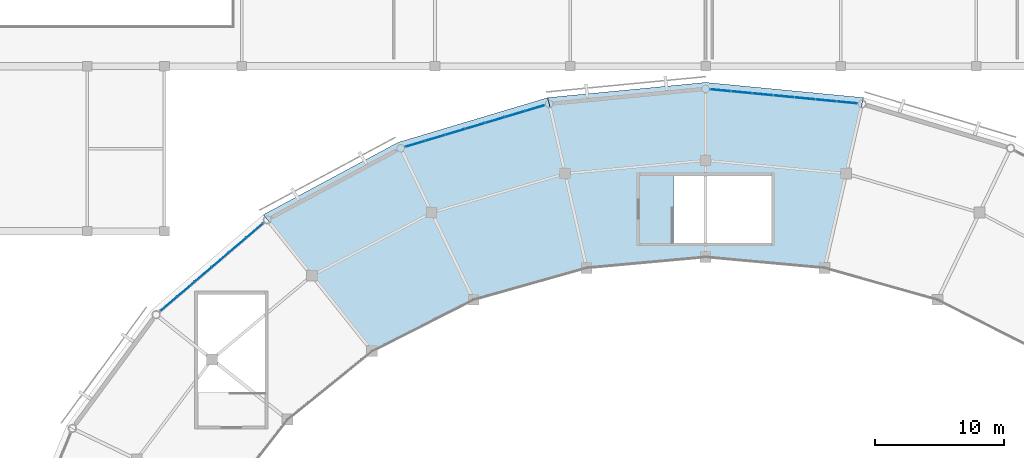
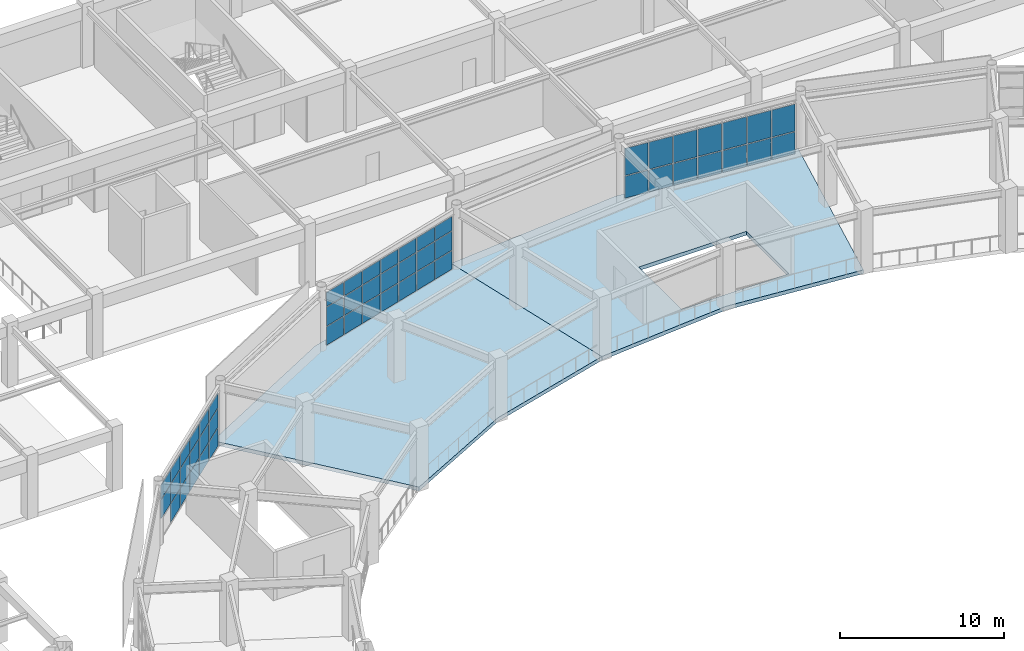
# One storey, part 71 of 112: 52 plates, 2 slabs, 3 elements without a shape of their own.
"""IFC4 building model written with IfcOpenShell, lengths in metres."""

from ifc_helpers import new_model, si_unit, direction, frame, origin, origin_2d, place, context, subcontext, project, spatial, polyline, rectangle, outline, extrude, material, layer, layer_set, type_object, element, aggregate, save


model = new_model("IFC4")

# Units and contexts
model_context = context("Model", 3, precision=1e-05, world=origin(), true_north=direction((0.0, 1.0)))
body_context = subcontext(model_context, "Body", "Model", "MODEL_VIEW")
ifc_project = project(units=[si_unit("LENGTHUNIT", "METRE"), si_unit("AREAUNIT", "SQUARE_METRE"), si_unit("VOLUMEUNIT", "CUBIC_METRE"), si_unit("PLANEANGLEUNIT", "RADIAN"), si_unit("MASSUNIT", "GRAM", prefix="KILO")], contexts=[model_context])

# Site, building, storey
site_placement = place(None, origin())
site = spatial("IfcSite", under=ifc_project, at=site_placement, CompositionType="ELEMENT")
building_placement = place(site_placement, origin())
building = spatial("IfcBuilding", under=site, at=building_placement, Name="Cuetzalor Civic Arena", CompositionType="ELEMENT")
storey_placement = place(building_placement, frame((0.0, 0.0, 11.39990234375)))
storey = spatial("IfcBuildingStorey", under=building, at=storey_placement, Name="L02", CompositionType="ELEMENT", Elevation=11.39990234375)

# Curtain wall, plates
ifc_material_1 = material(Name="Anodised dark bronze aluminium and low-E solar glass", Category="aluminium")
curtain_wall_type_1 = type_object("IfcCurtainWallType", Name="UnitisedCW_11550x3850", PredefinedType="USERDEFINED", material=ifc_material_1)
curtain_wall_1_placement = place(storey_placement, origin())
curtain_wall_1 = element("IfcCurtainWall", 1, at=curtain_wall_1_placement, inside=storey, type_object=curtain_wall_type_1, Name="Drum Triangle Foyer Curtain Wall L02-035", ObjectType="UNITISED CURTAIN WALL", PredefinedType="USERDEFINED")
ifc_material_2 = material(Name="Acoustic laminated solar control glass", Category="glass")
ifc_layer_1 = layer(ifc_material_2, 0.0439453125)
ifc_layer_set_1 = layer_set([ifc_layer_1], Name="Acoustic laminated solar control glass")
plate_type = type_object("IfcPlateType", Name="AcousticTripleGlazedPanel_44", PredefinedType="CURTAIN_PANEL", material=ifc_layer_set_1)
plate_1_placement = place(storey_placement, frame((1.15185546875, 46.439208984375, 0.065185546875), z_axis=(0.0, 0.0, 1.0), x_axis=(0.995409139996, -0.095711253324, 0.0)))
plate_1 = element("IfcPlate", 2, at=plate_1_placement, type_object=plate_type, Name="CW-14 panel 1.1", PredefinedType="CURTAIN_PANEL", context=body_context, shape_type="SweptSolid", body=[
    extrude(rectangle(XDim=1.5546875, YDim=0.0439453125, at=origin_2d()), origin(), (0.0, 0.0, 1.0), 1.62646484375),
])
plate_2_placement = place(storey_placement, frame((1.15185546875, 46.439208984375, 1.7568359375), z_axis=(0.0, 0.0, 1.0), x_axis=(0.995409139996, -0.095711253324, 0.0)))
plate_2 = element("IfcPlate", 3, at=plate_2_placement, type_object=plate_type, Name="CW-14 panel 1.2", PredefinedType="CURTAIN_PANEL", context=body_context, shape_type="SweptSolid", body=[
    extrude(rectangle(XDim=1.5546875, YDim=0.0439453125, at=origin_2d()), origin(), (0.0, 0.0, 1.0), 2.010498046875),
])
plate_3_placement = place(storey_placement, frame((2.780029296875, 46.28271484375, 0.065185546875), z_axis=(0.0, 0.0, 1.0), x_axis=(0.995409139996, -0.095711253324, 0.0)))
plate_3 = element("IfcPlate", 4, at=plate_3_placement, type_object=plate_type, Name="CW-14 panel 2.1", PredefinedType="CURTAIN_PANEL", context=body_context, shape_type="SweptSolid", body=[
    extrude(rectangle(XDim=1.587158203125, YDim=0.0439453125, at=origin_2d()), origin(), (0.0, 0.0, 1.0), 1.62646484375),
])
plate_4_placement = place(storey_placement, frame((2.780029296875, 46.28271484375, 1.7568359375), z_axis=(0.0, 0.0, 1.0), x_axis=(0.995409139996, -0.095711253324, 0.0)))
plate_4 = element("IfcPlate", 5, at=plate_4_placement, type_object=plate_type, Name="CW-14 panel 2.2", PredefinedType="CURTAIN_PANEL", context=body_context, shape_type="SweptSolid", body=[
    extrude(rectangle(XDim=1.587158203125, YDim=0.0439453125, at=origin_2d()), origin(), (0.0, 0.0, 1.0), 2.010498046875),
])
plate_5_placement = place(storey_placement, frame((4.4248046875, 46.12451171875, 0.065185546875), z_axis=(0.0, 0.0, 1.0), x_axis=(0.995409139996, -0.095711253324, 0.0)))
plate_5 = element("IfcPlate", 6, at=plate_5_placement, type_object=plate_type, Name="CW-14 panel 3.1", PredefinedType="CURTAIN_PANEL", context=body_context, shape_type="SweptSolid", body=[
    extrude(rectangle(XDim=1.587158203125, YDim=0.0439453125, at=origin_2d()), origin(), (0.0, 0.0, 1.0), 1.62646484375),
])
plate_6_placement = place(storey_placement, frame((4.4248046875, 46.12451171875, 1.7568359375), z_axis=(0.0, 0.0, 1.0), x_axis=(0.995409139996, -0.095711253324, 0.0)))
plate_6 = element("IfcPlate", 7, at=plate_6_placement, type_object=plate_type, Name="CW-14 panel 3.2", PredefinedType="CURTAIN_PANEL", context=body_context, shape_type="SweptSolid", body=[
    extrude(rectangle(XDim=1.587158203125, YDim=0.0439453125, at=origin_2d()), origin(), (0.0, 0.0, 1.0), 2.010498046875),
])
plate_7_placement = place(storey_placement, frame((6.0693359375, 45.966552734375, 0.065185546875), z_axis=(0.0, 0.0, 1.0), x_axis=(0.995409139996, -0.095711253324, 0.0)))
plate_7 = element("IfcPlate", 8, at=plate_7_placement, type_object=plate_type, Name="CW-14 panel 4.1", PredefinedType="CURTAIN_PANEL", context=body_context, shape_type="SweptSolid", body=[
    extrude(rectangle(XDim=1.587158203125, YDim=0.0439453125, at=origin_2d()), origin(), (0.0, 0.0, 1.0), 1.62646484375),
])
plate_8_placement = place(storey_placement, frame((6.0693359375, 45.966552734375, 1.7568359375), z_axis=(0.0, 0.0, 1.0), x_axis=(0.995409139996, -0.095711253324, 0.0)))
plate_8 = element("IfcPlate", 9, at=plate_8_placement, type_object=plate_type, Name="CW-14 panel 4.2", PredefinedType="CURTAIN_PANEL", context=body_context, shape_type="SweptSolid", body=[
    extrude(rectangle(XDim=1.587158203125, YDim=0.0439453125, at=origin_2d()), origin(), (0.0, 0.0, 1.0), 2.010498046875),
])
plate_9_placement = place(storey_placement, frame((7.7138671875, 45.808349609375, 0.065185546875), z_axis=(0.0, 0.0, 1.0), x_axis=(0.995409139996, -0.095711253324, 0.0)))
plate_9 = element("IfcPlate", 10, at=plate_9_placement, type_object=plate_type, Name="CW-14 panel 5.1", PredefinedType="CURTAIN_PANEL", context=body_context, shape_type="SweptSolid", body=[
    extrude(rectangle(XDim=1.587158203125, YDim=0.0439453125, at=origin_2d()), origin(), (0.0, 0.0, 1.0), 1.62646484375),
])
plate_10_placement = place(storey_placement, frame((7.7138671875, 45.808349609375, 1.7568359375), z_axis=(0.0, 0.0, 1.0), x_axis=(0.995409139996, -0.095711253324, 0.0)))
plate_10 = element("IfcPlate", 11, at=plate_10_placement, type_object=plate_type, Name="CW-14 panel 5.2", PredefinedType="CURTAIN_PANEL", context=body_context, shape_type="SweptSolid", body=[
    extrude(rectangle(XDim=1.587158203125, YDim=0.0439453125, at=origin_2d()), origin(), (0.0, 0.0, 1.0), 2.010498046875),
])
plate_11_placement = place(storey_placement, frame((9.3583984375, 45.650146484375, 0.065185546875), z_axis=(0.0, 0.0, 1.0), x_axis=(0.995409139996, -0.095711253324, 0.0)))
plate_11 = element("IfcPlate", 12, at=plate_11_placement, type_object=plate_type, Name="CW-14 panel 6.1", PredefinedType="CURTAIN_PANEL", context=body_context, shape_type="SweptSolid", body=[
    extrude(rectangle(XDim=1.587158203125, YDim=0.0439453125, at=origin_2d()), origin(), (0.0, 0.0, 1.0), 1.62646484375),
])
plate_12_placement = place(storey_placement, frame((9.3583984375, 45.650146484375, 1.7568359375), z_axis=(0.0, 0.0, 1.0), x_axis=(0.995409139996, -0.095711253324, 0.0)))
plate_12 = element("IfcPlate", 13, at=plate_12_placement, type_object=plate_type, Name="CW-14 panel 6.2", PredefinedType="CURTAIN_PANEL", context=body_context, shape_type="SweptSolid", body=[
    extrude(rectangle(XDim=1.587158203125, YDim=0.0439453125, at=origin_2d()), origin(), (0.0, 0.0, 1.0), 2.010498046875),
])
plate_13_placement = place(storey_placement, frame((10.98681640625, 45.49365234375, 0.065185546875), z_axis=(0.0, 0.0, 1.0), x_axis=(0.995409139996, -0.095711253324, 0.0)))
plate_13 = element("IfcPlate", 14, at=plate_13_placement, type_object=plate_type, Name="CW-14 panel 7.1", PredefinedType="CURTAIN_PANEL", context=body_context, shape_type="SweptSolid", body=[
    extrude(rectangle(XDim=1.5546875, YDim=0.0439453125, at=origin_2d()), origin(), (0.0, 0.0, 1.0), 1.62646484375),
])
plate_14_placement = place(storey_placement, frame((10.98681640625, 45.49365234375, 1.7568359375), z_axis=(0.0, 0.0, 1.0), x_axis=(0.995409139996, -0.095711253324, 0.0)))
plate_14 = element("IfcPlate", 15, at=plate_14_placement, type_object=plate_type, Name="CW-14 panel 7.2", PredefinedType="CURTAIN_PANEL", context=body_context, shape_type="SweptSolid", body=[
    extrude(rectangle(XDim=1.5546875, YDim=0.0439453125, at=origin_2d()), origin(), (0.0, 0.0, 1.0), 2.010498046875),
])
aggregate(curtain_wall_1, [plate_1, plate_2, plate_3, plate_4, plate_5, plate_6, plate_7, plate_8, plate_9, plate_10, plate_11, plate_12, plate_13, plate_14])

ifc_material_3 = material(Name="Anodised dark bronze aluminium and low-E solar glass", Category="aluminium")
curtain_wall_type_2 = type_object("IfcCurtainWallType", Name="UnitisedCW_11300x4050", PredefinedType="USERDEFINED", material=ifc_material_3)
curtain_wall_2_placement = place(storey_placement, origin())
curtain_wall_2 = element("IfcCurtainWall", 16, at=curtain_wall_2_placement, inside=storey, type_object=curtain_wall_type_2, Name="Drum Triangle Foyer Curtain Wall L02-036", ObjectType="UNITISED CURTAIN WALL", PredefinedType="USERDEFINED")
plate_15_placement = place(storey_placement, frame((-22.532470703125, 42.279296875, 0.06494140625), z_axis=(0.0, 0.0, 1.0), x_axis=(0.958193690548, 0.286120344251, 0.0)))
plate_15 = element("IfcPlate", 17, at=plate_15_placement, type_object=plate_type, Name="CW-15 panel 1.1", PredefinedType="CURTAIN_PANEL", context=body_context, shape_type="SweptSolid", body=[
    extrude(rectangle(XDim=1.518310546875, YDim=0.0439453125, at=origin_2d()), origin(), (0.0, 0.0, 1.0), 1.361572265625),
])
plate_16_placement = place(storey_placement, frame((-22.532470703125, 42.279296875, 1.491455078125), z_axis=(0.0, 0.0, 1.0), x_axis=(0.958193690548, 0.286120344251, 0.0)))
plate_16 = element("IfcPlate", 18, at=plate_16_placement, type_object=plate_type, Name="CW-15 panel 1.2", PredefinedType="CURTAIN_PANEL", context=body_context, shape_type="SweptSolid", body=[
    extrude(rectangle(XDim=1.518310546875, YDim=0.0439453125, at=origin_2d()), origin(), (0.0, 0.0, 1.0), 1.39404296875),
])
plate_17_placement = place(storey_placement, frame((-22.532470703125, 42.279296875, 2.950439453125), z_axis=(0.0, 0.0, 1.0), x_axis=(0.958193690548, 0.286120344251, 0.0)))
plate_17 = element("IfcPlate", 19, at=plate_17_placement, type_object=plate_type, Name="CW-15 panel 1.3", PredefinedType="CURTAIN_PANEL", context=body_context, shape_type="SweptSolid", body=[
    extrude(rectangle(XDim=1.518310546875, YDim=0.0439453125, at=origin_2d()), origin(), (0.0, 0.0, 1.0), 1.03759765625),
])
plate_18_placement = place(storey_placement, frame((-20.999755859375, 42.73681640625, 0.06494140625), z_axis=(0.0, 0.0, 1.0), x_axis=(0.958193690548, 0.286120344251, 0.0)))
plate_18 = element("IfcPlate", 20, at=plate_18_placement, type_object=plate_type, Name="CW-15 panel 2.1", PredefinedType="CURTAIN_PANEL", context=body_context, shape_type="SweptSolid", body=[
    extrude(rectangle(XDim=1.55078125, YDim=0.0439453125, at=origin_2d()), origin(), (0.0, 0.0, 1.0), 1.361572265625),
])
plate_19_placement = place(storey_placement, frame((-20.999755859375, 42.73681640625, 1.491455078125), z_axis=(0.0, 0.0, 1.0), x_axis=(0.958193690548, 0.286120344251, 0.0)))
plate_19 = element("IfcPlate", 21, at=plate_19_placement, type_object=plate_type, Name="CW-15 panel 2.2", PredefinedType="CURTAIN_PANEL", context=body_context, shape_type="SweptSolid", body=[
    extrude(rectangle(XDim=1.55078125, YDim=0.0439453125, at=origin_2d()), origin(), (0.0, 0.0, 1.0), 1.39404296875),
])
plate_20_placement = place(storey_placement, frame((-20.999755859375, 42.73681640625, 2.950439453125), z_axis=(0.0, 0.0, 1.0), x_axis=(0.958193690548, 0.286120344251, 0.0)))
plate_20 = element("IfcPlate", 22, at=plate_20_placement, type_object=plate_type, Name="CW-15 panel 2.3", PredefinedType="CURTAIN_PANEL", context=body_context, shape_type="SweptSolid", body=[
    extrude(rectangle(XDim=1.55078125, YDim=0.0439453125, at=origin_2d()), origin(), (0.0, 0.0, 1.0), 1.03759765625),
])
plate_21_placement = place(storey_placement, frame((-19.45166015625, 43.19921875, 0.06494140625), z_axis=(0.0, 0.0, 1.0), x_axis=(0.958193690548, 0.286120344251, 0.0)))
plate_21 = element("IfcPlate", 23, at=plate_21_placement, type_object=plate_type, Name="CW-15 panel 3.1", PredefinedType="CURTAIN_PANEL", context=body_context, shape_type="SweptSolid", body=[
    extrude(rectangle(XDim=1.55078125, YDim=0.0439453125, at=origin_2d()), origin(), (0.0, 0.0, 1.0), 1.361572265625),
])
plate_22_placement = place(storey_placement, frame((-19.45166015625, 43.19921875, 1.491455078125), z_axis=(0.0, 0.0, 1.0), x_axis=(0.958193690548, 0.286120344251, 0.0)))
plate_22 = element("IfcPlate", 24, at=plate_22_placement, type_object=plate_type, Name="CW-15 panel 3.2", PredefinedType="CURTAIN_PANEL", context=body_context, shape_type="SweptSolid", body=[
    extrude(rectangle(XDim=1.55078125, YDim=0.0439453125, at=origin_2d()), origin(), (0.0, 0.0, 1.0), 1.39404296875),
])
plate_23_placement = place(storey_placement, frame((-19.45166015625, 43.19921875, 2.950439453125), z_axis=(0.0, 0.0, 1.0), x_axis=(0.958193690548, 0.286120344251, 0.0)))
plate_23 = element("IfcPlate", 25, at=plate_23_placement, type_object=plate_type, Name="CW-15 panel 3.3", PredefinedType="CURTAIN_PANEL", context=body_context, shape_type="SweptSolid", body=[
    extrude(rectangle(XDim=1.55078125, YDim=0.0439453125, at=origin_2d()), origin(), (0.0, 0.0, 1.0), 1.03759765625),
])
plate_24_placement = place(storey_placement, frame((-17.903564453125, 43.66162109375, 0.06494140625), z_axis=(0.0, 0.0, 1.0), x_axis=(0.958193690548, 0.286120344251, 0.0)))
plate_24 = element("IfcPlate", 26, at=plate_24_placement, type_object=plate_type, Name="CW-15 panel 4.1", PredefinedType="CURTAIN_PANEL", context=body_context, shape_type="SweptSolid", body=[
    extrude(rectangle(XDim=1.55078125, YDim=0.0439453125, at=origin_2d()), origin(), (0.0, 0.0, 1.0), 1.361572265625),
])
plate_25_placement = place(storey_placement, frame((-17.903564453125, 43.66162109375, 1.491455078125), z_axis=(0.0, 0.0, 1.0), x_axis=(0.958193690548, 0.286120344251, 0.0)))
plate_25 = element("IfcPlate", 27, at=plate_25_placement, type_object=plate_type, Name="CW-15 panel 4.2", PredefinedType="CURTAIN_PANEL", context=body_context, shape_type="SweptSolid", body=[
    extrude(rectangle(XDim=1.55078125, YDim=0.0439453125, at=origin_2d()), origin(), (0.0, 0.0, 1.0), 1.39404296875),
])
plate_26_placement = place(storey_placement, frame((-17.903564453125, 43.66162109375, 2.950439453125), z_axis=(0.0, 0.0, 1.0), x_axis=(0.958193690548, 0.286120344251, 0.0)))
plate_26 = element("IfcPlate", 28, at=plate_26_placement, type_object=plate_type, Name="CW-15 panel 4.3", PredefinedType="CURTAIN_PANEL", context=body_context, shape_type="SweptSolid", body=[
    extrude(rectangle(XDim=1.55078125, YDim=0.0439453125, at=origin_2d()), origin(), (0.0, 0.0, 1.0), 1.03759765625),
])
plate_27_placement = place(storey_placement, frame((-16.355224609375, 44.123779296875, 0.06494140625), z_axis=(0.0, 0.0, 1.0), x_axis=(0.958193690548, 0.286120344251, 0.0)))
plate_27 = element("IfcPlate", 29, at=plate_27_placement, type_object=plate_type, Name="CW-15 panel 5.1", PredefinedType="CURTAIN_PANEL", context=body_context, shape_type="SweptSolid", body=[
    extrude(rectangle(XDim=1.55078125, YDim=0.0439453125, at=origin_2d()), origin(), (0.0, 0.0, 1.0), 1.361572265625),
])
plate_28_placement = place(storey_placement, frame((-16.355224609375, 44.123779296875, 1.491455078125), z_axis=(0.0, 0.0, 1.0), x_axis=(0.958193690548, 0.286120344251, 0.0)))
plate_28 = element("IfcPlate", 30, at=plate_28_placement, type_object=plate_type, Name="CW-15 panel 5.2", PredefinedType="CURTAIN_PANEL", context=body_context, shape_type="SweptSolid", body=[
    extrude(rectangle(XDim=1.55078125, YDim=0.0439453125, at=origin_2d()), origin(), (0.0, 0.0, 1.0), 1.39404296875),
])
plate_29_placement = place(storey_placement, frame((-16.355224609375, 44.123779296875, 2.950439453125), z_axis=(0.0, 0.0, 1.0), x_axis=(0.958193690548, 0.286120344251, 0.0)))
plate_29 = element("IfcPlate", 31, at=plate_29_placement, type_object=plate_type, Name="CW-15 panel 5.3", PredefinedType="CURTAIN_PANEL", context=body_context, shape_type="SweptSolid", body=[
    extrude(rectangle(XDim=1.55078125, YDim=0.0439453125, at=origin_2d()), origin(), (0.0, 0.0, 1.0), 1.03759765625),
])
plate_30_placement = place(storey_placement, frame((-14.80712890625, 44.586181640625, 0.06494140625), z_axis=(0.0, 0.0, 1.0), x_axis=(0.958193690548, 0.286120344251, 0.0)))
plate_30 = element("IfcPlate", 32, at=plate_30_placement, type_object=plate_type, Name="CW-15 panel 6.1", PredefinedType="CURTAIN_PANEL", context=body_context, shape_type="SweptSolid", body=[
    extrude(rectangle(XDim=1.55078125, YDim=0.0439453125, at=origin_2d()), origin(), (0.0, 0.0, 1.0), 1.361572265625),
])
plate_31_placement = place(storey_placement, frame((-14.80712890625, 44.586181640625, 1.491455078125), z_axis=(0.0, 0.0, 1.0), x_axis=(0.958193690548, 0.286120344251, 0.0)))
plate_31 = element("IfcPlate", 33, at=plate_31_placement, type_object=plate_type, Name="CW-15 panel 6.2", PredefinedType="CURTAIN_PANEL", context=body_context, shape_type="SweptSolid", body=[
    extrude(rectangle(XDim=1.55078125, YDim=0.0439453125, at=origin_2d()), origin(), (0.0, 0.0, 1.0), 1.39404296875),
])
plate_32_placement = place(storey_placement, frame((-14.80712890625, 44.586181640625, 2.950439453125), z_axis=(0.0, 0.0, 1.0), x_axis=(0.958193690548, 0.286120344251, 0.0)))
plate_32 = element("IfcPlate", 34, at=plate_32_placement, type_object=plate_type, Name="CW-15 panel 6.3", PredefinedType="CURTAIN_PANEL", context=body_context, shape_type="SweptSolid", body=[
    extrude(rectangle(XDim=1.55078125, YDim=0.0439453125, at=origin_2d()), origin(), (0.0, 0.0, 1.0), 1.03759765625),
])
plate_33_placement = place(storey_placement, frame((-13.274658203125, 45.043701171875, 0.06494140625), z_axis=(0.0, 0.0, 1.0), x_axis=(0.958193690548, 0.286120344251, 0.0)))
plate_33 = element("IfcPlate", 35, at=plate_33_placement, type_object=plate_type, Name="CW-15 panel 7.1", PredefinedType="CURTAIN_PANEL", context=body_context, shape_type="SweptSolid", body=[
    extrude(rectangle(XDim=1.518310546875, YDim=0.0439453125, at=origin_2d()), origin(), (0.0, 0.0, 1.0), 1.361572265625),
])
plate_34_placement = place(storey_placement, frame((-13.274658203125, 45.043701171875, 1.491455078125), z_axis=(0.0, 0.0, 1.0), x_axis=(0.958193690548, 0.286120344251, 0.0)))
plate_34 = element("IfcPlate", 36, at=plate_34_placement, type_object=plate_type, Name="CW-15 panel 7.2", PredefinedType="CURTAIN_PANEL", context=body_context, shape_type="SweptSolid", body=[
    extrude(rectangle(XDim=1.518310546875, YDim=0.0439453125, at=origin_2d()), origin(), (0.0, 0.0, 1.0), 1.39404296875),
])
plate_35_placement = place(storey_placement, frame((-13.274658203125, 45.043701171875, 2.950439453125), z_axis=(0.0, 0.0, 1.0), x_axis=(0.958193690548, 0.286120344251, 0.0)))
plate_35 = element("IfcPlate", 37, at=plate_35_placement, type_object=plate_type, Name="CW-15 panel 7.3", PredefinedType="CURTAIN_PANEL", context=body_context, shape_type="SweptSolid", body=[
    extrude(rectangle(XDim=1.518310546875, YDim=0.0439453125, at=origin_2d()), origin(), (0.0, 0.0, 1.0), 1.03759765625),
])
aggregate(curtain_wall_2, [plate_15, plate_16, plate_17, plate_18, plate_19, plate_20, plate_21, plate_22, plate_23, plate_24, plate_25, plate_26, plate_27, plate_28, plate_29, plate_30, plate_31, plate_32, plate_33, plate_34, plate_35])

ifc_material_4 = material(Name="Anodised dark bronze aluminium and low-E solar glass", Category="aluminium")
curtain_wall_type_3 = type_object("IfcCurtainWallType", Name="UnitisedCW_10550x4050", PredefinedType="USERDEFINED", material=ifc_material_4)
curtain_wall_3_placement = place(storey_placement, origin())
curtain_wall_3 = element("IfcCurtainWall", 38, at=curtain_wall_3_placement, inside=storey, type_object=curtain_wall_type_3, Name="Drum Triangle Foyer Curtain Wall L02-037", ObjectType="UNITISED CURTAIN WALL", PredefinedType="USERDEFINED")
plate_36_placement = place(storey_placement, frame((-41.655517578125, 29.87109375, 1.491455078125), z_axis=(0.0, 0.0, 1.0), x_axis=(0.760677142663, 0.64913040649, 0.0)))
plate_36 = element("IfcPlate", 39, at=plate_36_placement, type_object=plate_type, Name="CW-16 panel 1.2", PredefinedType="CURTAIN_PANEL", context=body_context, shape_type="SweptSolid", body=[
    extrude(rectangle(XDim=1.65771484375, YDim=0.0439453125, at=origin_2d()), origin(), (0.0, 0.0, 1.0), 1.39404296875),
])
plate_37_placement = place(storey_placement, frame((-41.655517578125, 29.87109375, 2.950439453125), z_axis=(0.0, 0.0, 1.0), x_axis=(0.760677142663, 0.64913040649, 0.0)))
plate_37 = element("IfcPlate", 40, at=plate_37_placement, type_object=plate_type, Name="CW-16 panel 1.3", PredefinedType="CURTAIN_PANEL", context=body_context, shape_type="SweptSolid", body=[
    extrude(rectangle(XDim=1.65771484375, YDim=0.0439453125, at=origin_2d()), origin(), (0.0, 0.0, 1.0), 1.03759765625),
])
plate_38_placement = place(storey_placement, frame((-40.332763671875, 31.0, 0.06494140625), z_axis=(0.0, 0.0, 1.0), x_axis=(0.760677142663, 0.64913040649, 0.0)))
plate_38 = element("IfcPlate", 41, at=plate_38_placement, type_object=plate_type, Name="CW-16 panel 2.1", PredefinedType="CURTAIN_PANEL", context=body_context, shape_type="SweptSolid", body=[
    extrude(rectangle(XDim=1.690185546875, YDim=0.0439453125, at=origin_2d()), origin(), (0.0, 0.0, 1.0), 1.361572265625),
])
plate_39_placement = place(storey_placement, frame((-40.332763671875, 31.0, 1.491455078125), z_axis=(0.0, 0.0, 1.0), x_axis=(0.760677142663, 0.64913040649, 0.0)))
plate_39 = element("IfcPlate", 42, at=plate_39_placement, type_object=plate_type, Name="CW-16 panel 2.2", PredefinedType="CURTAIN_PANEL", context=body_context, shape_type="SweptSolid", body=[
    extrude(rectangle(XDim=1.690185546875, YDim=0.0439453125, at=origin_2d()), origin(), (0.0, 0.0, 1.0), 1.39404296875),
])
plate_40_placement = place(storey_placement, frame((-40.332763671875, 31.0, 2.950439453125), z_axis=(0.0, 0.0, 1.0), x_axis=(0.760677142663, 0.64913040649, 0.0)))
plate_40 = element("IfcPlate", 43, at=plate_40_placement, type_object=plate_type, Name="CW-16 panel 2.3", PredefinedType="CURTAIN_PANEL", context=body_context, shape_type="SweptSolid", body=[
    extrude(rectangle(XDim=1.690185546875, YDim=0.0439453125, at=origin_2d()), origin(), (0.0, 0.0, 1.0), 1.03759765625),
])
plate_41_placement = place(storey_placement, frame((-38.997802734375, 32.13916015625, 0.06494140625), z_axis=(0.0, 0.0, 1.0), x_axis=(0.760677142663, 0.64913040649, 0.0)))
plate_41 = element("IfcPlate", 44, at=plate_41_placement, type_object=plate_type, Name="CW-16 panel 3.1", PredefinedType="CURTAIN_PANEL", context=body_context, shape_type="SweptSolid", body=[
    extrude(rectangle(XDim=1.690185546875, YDim=0.0439453125, at=origin_2d()), origin(), (0.0, 0.0, 1.0), 1.361572265625),
])
plate_42_placement = place(storey_placement, frame((-38.997802734375, 32.13916015625, 1.491455078125), z_axis=(0.0, 0.0, 1.0), x_axis=(0.760677142663, 0.64913040649, 0.0)))
plate_42 = element("IfcPlate", 45, at=plate_42_placement, type_object=plate_type, Name="CW-16 panel 3.2", PredefinedType="CURTAIN_PANEL", context=body_context, shape_type="SweptSolid", body=[
    extrude(rectangle(XDim=1.690185546875, YDim=0.0439453125, at=origin_2d()), origin(), (0.0, 0.0, 1.0), 1.39404296875),
])
plate_43_placement = place(storey_placement, frame((-38.997802734375, 32.13916015625, 2.950439453125), z_axis=(0.0, 0.0, 1.0), x_axis=(0.760677142663, 0.64913040649, 0.0)))
plate_43 = element("IfcPlate", 46, at=plate_43_placement, type_object=plate_type, Name="CW-16 panel 3.3", PredefinedType="CURTAIN_PANEL", context=body_context, shape_type="SweptSolid", body=[
    extrude(rectangle(XDim=1.690185546875, YDim=0.0439453125, at=origin_2d()), origin(), (0.0, 0.0, 1.0), 1.03759765625),
])
plate_44_placement = place(storey_placement, frame((-37.66259765625, 33.278564453125, 0.06494140625), z_axis=(0.0, 0.0, 1.0), x_axis=(0.760677142663, 0.64913040649, 0.0)))
plate_44 = element("IfcPlate", 47, at=plate_44_placement, type_object=plate_type, Name="CW-16 panel 4.1", PredefinedType="CURTAIN_PANEL", context=body_context, shape_type="SweptSolid", body=[
    extrude(rectangle(XDim=1.690185546875, YDim=0.0439453125, at=origin_2d()), origin(), (0.0, 0.0, 1.0), 1.361572265625),
])
plate_45_placement = place(storey_placement, frame((-37.66259765625, 33.278564453125, 1.491455078125), z_axis=(0.0, 0.0, 1.0), x_axis=(0.760677142663, 0.64913040649, 0.0)))
plate_45 = element("IfcPlate", 48, at=plate_45_placement, type_object=plate_type, Name="CW-16 panel 4.2", PredefinedType="CURTAIN_PANEL", context=body_context, shape_type="SweptSolid", body=[
    extrude(rectangle(XDim=1.690185546875, YDim=0.0439453125, at=origin_2d()), origin(), (0.0, 0.0, 1.0), 1.39404296875),
])
plate_46_placement = place(storey_placement, frame((-37.66259765625, 33.278564453125, 2.950439453125), z_axis=(0.0, 0.0, 1.0), x_axis=(0.760677142663, 0.64913040649, 0.0)))
plate_46 = element("IfcPlate", 49, at=plate_46_placement, type_object=plate_type, Name="CW-16 panel 4.3", PredefinedType="CURTAIN_PANEL", context=body_context, shape_type="SweptSolid", body=[
    extrude(rectangle(XDim=1.690185546875, YDim=0.0439453125, at=origin_2d()), origin(), (0.0, 0.0, 1.0), 1.03759765625),
])
plate_47_placement = place(storey_placement, frame((-36.327392578125, 34.41796875, 0.06494140625), z_axis=(0.0, 0.0, 1.0), x_axis=(0.760677142663, 0.64913040649, 0.0)))
plate_47 = element("IfcPlate", 50, at=plate_47_placement, type_object=plate_type, Name="CW-16 panel 5.1", PredefinedType="CURTAIN_PANEL", context=body_context, shape_type="SweptSolid", body=[
    extrude(rectangle(XDim=1.690185546875, YDim=0.0439453125, at=origin_2d()), origin(), (0.0, 0.0, 1.0), 1.361572265625),
])
plate_48_placement = place(storey_placement, frame((-36.327392578125, 34.41796875, 1.491455078125), z_axis=(0.0, 0.0, 1.0), x_axis=(0.760677142663, 0.64913040649, 0.0)))
plate_48 = element("IfcPlate", 51, at=plate_48_placement, type_object=plate_type, Name="CW-16 panel 5.2", PredefinedType="CURTAIN_PANEL", context=body_context, shape_type="SweptSolid", body=[
    extrude(rectangle(XDim=1.690185546875, YDim=0.0439453125, at=origin_2d()), origin(), (0.0, 0.0, 1.0), 1.39404296875),
])
plate_49_placement = place(storey_placement, frame((-36.327392578125, 34.41796875, 2.950439453125), z_axis=(0.0, 0.0, 1.0), x_axis=(0.760677142663, 0.64913040649, 0.0)))
plate_49 = element("IfcPlate", 52, at=plate_49_placement, type_object=plate_type, Name="CW-16 panel 5.3", PredefinedType="CURTAIN_PANEL", context=body_context, shape_type="SweptSolid", body=[
    extrude(rectangle(XDim=1.690185546875, YDim=0.0439453125, at=origin_2d()), origin(), (0.0, 0.0, 1.0), 1.03759765625),
])
plate_50_placement = place(storey_placement, frame((-35.004638671875, 35.546630859375, 0.06494140625), z_axis=(0.0, 0.0, 1.0), x_axis=(0.760677142663, 0.64913040649, 0.0)))
plate_50 = element("IfcPlate", 53, at=plate_50_placement, type_object=plate_type, Name="CW-16 panel 6.1", PredefinedType="CURTAIN_PANEL", context=body_context, shape_type="SweptSolid", body=[
    extrude(rectangle(XDim=1.65771484375, YDim=0.0439453125, at=origin_2d()), origin(), (0.0, 0.0, 1.0), 1.361572265625),
])
plate_51_placement = place(storey_placement, frame((-35.004638671875, 35.546630859375, 1.491455078125), z_axis=(0.0, 0.0, 1.0), x_axis=(0.760677142663, 0.64913040649, 0.0)))
plate_51 = element("IfcPlate", 54, at=plate_51_placement, type_object=plate_type, Name="CW-16 panel 6.2", PredefinedType="CURTAIN_PANEL", context=body_context, shape_type="SweptSolid", body=[
    extrude(rectangle(XDim=1.65771484375, YDim=0.0439453125, at=origin_2d()), origin(), (0.0, 0.0, 1.0), 1.39404296875),
])
plate_52_placement = place(storey_placement, frame((-35.004638671875, 35.546630859375, 2.950439453125), z_axis=(0.0, 0.0, 1.0), x_axis=(0.760677142663, 0.64913040649, 0.0)))
plate_52 = element("IfcPlate", 55, at=plate_52_placement, type_object=plate_type, Name="CW-16 panel 6.3", PredefinedType="CURTAIN_PANEL", context=body_context, shape_type="SweptSolid", body=[
    extrude(rectangle(XDim=1.65771484375, YDim=0.0439453125, at=origin_2d()), origin(), (0.0, 0.0, 1.0), 1.03759765625),
])
aggregate(curtain_wall_3, [plate_36, plate_37, plate_38, plate_39, plate_40, plate_41, plate_42, plate_43, plate_44, plate_45, plate_46, plate_47, plate_48, plate_49, plate_50, plate_51, plate_52])

# Slabs
ifc_material_5 = material(Name="Concrete C35/45", Category="concrete")
ifc_layer_2 = layer(ifc_material_5, 0.280029296875)
ifc_layer_set_2 = layer_set([ifc_layer_2], Name="Concrete C35/45")
slab_type = type_object("IfcSlabType", Name="SuspendedFloorSlab_280", PredefinedType="FLOOR", material=ifc_layer_set_2)
slab_1_placement = place(storey_placement, frame((0.0, 0.0, -0.27978515625)))
element("IfcSlab", 56, at=slab_1_placement, inside=storey, type_object=slab_type, Name="Arena Concourse Sector Slab L02-04", PredefinedType="FLOOR", context=body_context, shape_type="SweptSolid", body=[
    extrude(outline(polyline([(0.0, 33.5), (-9.234619140625, 32.66015625), (-12.249755859375, 45.870361328125), (0.0, 47.050048828125), (12.249755859375, 45.870361328125), (9.234619140625, 32.66015625), (0.0, 33.5)]), holes=[polyline([(5.10009765625, 34.60009765625), (5.10009765625, 39.800048828125), (-2.5, 39.800048828125), (-2.5, 34.60009765625), (5.10009765625, 34.60009765625)])]), origin(), (0.0, 0.0, 1.0), 0.27978515625),
])
slab_2_placement = place(storey_placement, frame((0.0, 0.0, -0.27978515625)))
element("IfcSlab", 57, at=slab_2_placement, inside=storey, type_object=slab_type, Name="Arena Concourse Sector Slab L02-05", PredefinedType="FLOOR", context=body_context, shape_type="SweptSolid", body=[
    extrude(outline(polyline([(-9.234619140625, 32.66015625), (-18.006103515625, 30.1826171875), (-25.874755859375, 26.19140625), (-34.322998046875, 36.78515625), (-23.88525390625, 42.390625), (-12.249755859375, 45.870361328125), (-9.234619140625, 32.66015625)])), origin(), (0.0, 0.0, 1.0), 0.27978515625),
])

save(model, "model.ifc")
